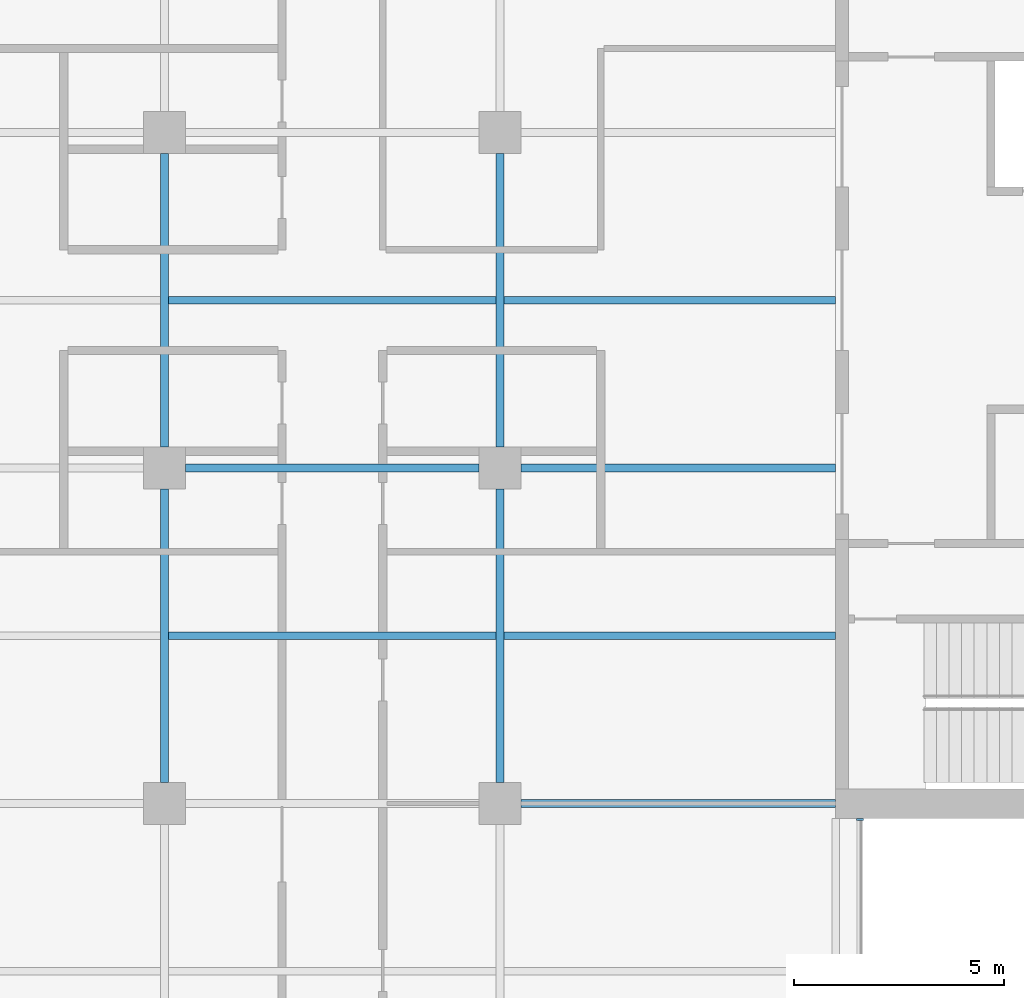
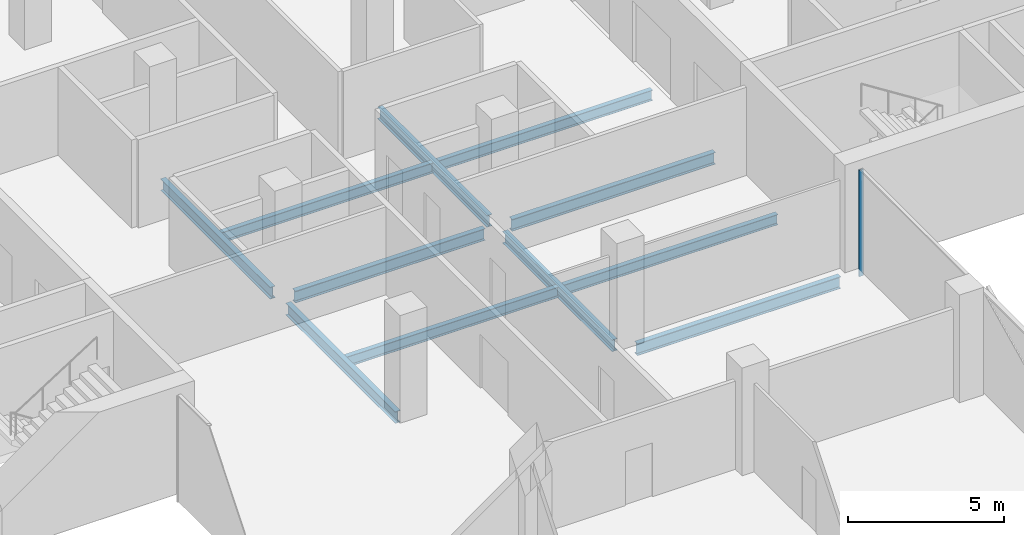
# One storey, part 6 of 22: 11 beams, 1 member, 1 element without a shape of its own.
"""IFC4 building model written with IfcOpenShell, lengths in metres."""

from ifc_helpers import new_model, si_unit, direction, frame, origin, origin_2d, place, context, subcontext, project, spatial, rectangle, i_section, extrude, material, material_profile, profile_set, type_object, element, aggregate, save


model = new_model("IFC4")

# Units and contexts
model_context = context("Model", 3, precision=1e-05, world=origin(), true_north=direction((0.0, 1.0)))
body_context = subcontext(model_context, "Body", "Model", "MODEL_VIEW")
ifc_project = project(units=[si_unit("LENGTHUNIT", "METRE"), si_unit("AREAUNIT", "SQUARE_METRE"), si_unit("VOLUMEUNIT", "CUBIC_METRE"), si_unit("PLANEANGLEUNIT", "RADIAN"), si_unit("MASSUNIT", "GRAM", prefix="KILO")], contexts=[model_context])

# Site, building, storey
site_placement = place(None, origin())
site = spatial("IfcSite", under=ifc_project, at=site_placement, CompositionType="ELEMENT")
building_placement = place(site_placement, origin())
building = spatial("IfcBuilding", under=site, at=building_placement, Name="Crosswind Convention Tower", CompositionType="ELEMENT")
storey_placement = place(building_placement, frame((0.0, 0.0, 121.10009765625)))
storey = spatial("IfcBuildingStorey", under=building, at=storey_placement, Name="L24", CompositionType="ELEMENT", Elevation=121.10009765625)

# Beams
ifc_material_1 = material(Name="Steel S355", Category="steel")
ifc_material_profile_1 = material_profile(ifc_material_1, i_section(OverallWidth=0.19140625, OverallDepth=0.460205078125, WebThickness=0.010009765625, FlangeThickness=0.01611328125, FilletRadius=0.01025390625, at=origin_2d()), Name="UB 457x191x82")
ifc_profile_set_1 = profile_set([ifc_material_profile_1], Name="Steel S355")
beam_type_1 = type_object("IfcBeamType", Name="Girder UB 457x191x82", PredefinedType="BEAM", material=ifc_profile_set_1)
for number, where, z_axis, x_axis, name in (
    (1, (121.0, 88.5, -0.5302734375), (0.0, 1.0, 0.0), (-1.0, 0.0, 0.0), "B3 L24 girder 5"),
    (2, (121.0, 96.5, -0.5302734375), (0.0, 1.0, 0.0), (-1.0, 0.0, 0.0), "B3 L24 girder 6"),
    (3, (121.5, 96.0, -0.5302734375), (1.0, 0.0, 0.0), (0.0, 1.0, 0.0), "B3 L24 girder 12"),
    (4, (129.0, 88.5, -0.5302734375), (0.0, 1.0, 0.0), (-1.0, 0.0, 0.0), "B3 L24 girder 18"),
    (5, (129.0, 96.5, -0.5302734375), (0.0, 1.0, 0.0), (-1.0, 0.0, 0.0), "B3 L24 girder 19"),
):
    element("IfcBeam", number, at=place(storey_placement, frame(where, z_axis=z_axis, x_axis=x_axis)), inside=storey, type_object=beam_type_1, Name=name, PredefinedType="BEAM", context=body_context, shape_type="SweptSolid", body=[
        extrude(i_section(OverallWidth=0.19140625, OverallDepth=0.460205078125, WebThickness=0.010009765625, FlangeThickness=0.01611328125, FilletRadius=0.01025390625, at=origin_2d()), origin(), (0.0, 0.0, 1.0), 7.0),
    ])
ifc_material_profile_2 = material_profile(ifc_material_1, i_section(OverallWidth=0.19189453125, OverallDepth=0.463623046875, WebThickness=0.010498046875, FlangeThickness=0.017578125, FilletRadius=0.01025390625, at=origin_2d()), Name="UB 457x191x90")
ifc_profile_set_2 = profile_set([ifc_material_profile_2], Name="Steel S355")
beam_type_2 = type_object("IfcBeamType", Name="Girder at core wall UB 457x191x90", PredefinedType="BEAM", material=ifc_profile_set_2)
for number, where, z_axis, x_axis, name in (
    (6, (129.5, 88.0, -0.531982421875), (1.0, 0.0, 0.0), (0.0, 1.0, 0.0), "B24 L24 girder at core wall 7"),
    (7, (129.5, 96.0, -0.531982421875), (1.0, 0.0, 0.0), (0.0, 1.0, 0.0), "B24 L24 girder at core wall 8"),
):
    element("IfcBeam", number, at=place(storey_placement, frame(where, z_axis=z_axis, x_axis=x_axis)), inside=storey, type_object=beam_type_2, Name=name, PredefinedType="BEAM", context=body_context, shape_type="SweptSolid", body=[
        extrude(i_section(OverallWidth=0.19189453125, OverallDepth=0.463623046875, WebThickness=0.010498046875, FlangeThickness=0.017578125, FilletRadius=0.01025390625, at=origin_2d()), origin(), (0.0, 0.0, 1.0), 7.5),
    ])

# Curtain wall, member
ifc_material_2 = material(Name="Aluminium unitised curtain wall", Category="aluminium")
curtain_wall_type = type_object("IfcCurtainWallType", Name="CORE END SLOT WALL 160", PredefinedType="USERDEFINED", material=ifc_material_2)
curtain_wall_placement = place(storey_placement, origin())
curtain_wall = element("IfcCurtainWall", 8, at=curtain_wall_placement, inside=storey, type_object=curtain_wall_type, Name="CW6 L24 S-E.1-2 slot", ObjectType="UNITISED", PredefinedType="USERDEFINED")
ifc_material_3 = material(Name="Aluminium mullion", Category="aluminium")
ifc_material_profile_3 = material_profile(ifc_material_3, rectangle(XDim=0.159912109375, YDim=0.050048828125, at=origin_2d()), Name="AL 160X50")
ifc_profile_set_3 = profile_set([ifc_material_profile_3], Name="Aluminium mullion")
member_type = type_object("IfcMemberType", Name="MULLION 50X160", PredefinedType="MULLION", material=ifc_profile_set_3)
member_placement = place(storey_placement, frame((137.580078125, 87.625, -0.300048828125), z_axis=(0.0, 0.0, 1.0), x_axis=(1.0, 0.0, 0.0)))
member = element("IfcMember", 9, at=member_placement, type_object=member_type, Name="CW6 mullion 2", PredefinedType="MULLION", context=body_context, shape_type="SweptSolid", body=[
    extrude(rectangle(XDim=0.159912109375, YDim=0.050048828125, at=origin_2d()), origin(), (0.0, 0.0, 1.0), 4.14990234375),
])
aggregate(curtain_wall, [member])

# Beams
ifc_material_profile_4 = material_profile(ifc_material_1, i_section(OverallWidth=0.177734375, OverallDepth=0.406494140625, WebThickness=0.0078125, FlangeThickness=0.0126953125, FilletRadius=0.01025390625, at=origin_2d()), Name="UB 406x178x60")
ifc_profile_set_4 = profile_set([ifc_material_profile_4], Name="Steel S355")
beam_type_3 = type_object("IfcBeamType", Name="Secondary beam UB 406x178x60", PredefinedType="JOIST", material=ifc_profile_set_4)
for number, where, z_axis, x_axis, name in (
    (10, (121.095703125, 92.0, -0.50341796875), (1.0, 0.0, 0.0), (0.0, 1.0, 0.0), "B10 L24 secondary beam 13"),
    (11, (121.095703125, 100.0, -0.50341796875), (1.0, 0.0, 0.0), (0.0, 1.0, 0.0), "B10 L24 secondary beam 14"),
):
    element("IfcBeam", number, at=place(storey_placement, frame(where, z_axis=z_axis, x_axis=x_axis)), inside=storey, type_object=beam_type_3, Name=name, PredefinedType="JOIST", context=body_context, shape_type="SweptSolid", body=[
        extrude(i_section(OverallWidth=0.177734375, OverallDepth=0.406494140625, WebThickness=0.0078125, FlangeThickness=0.0126953125, FilletRadius=0.01025390625, at=origin_2d()), origin(), (0.0, 0.0, 1.0), 7.80859375),
    ])
for number, where, z_axis, x_axis, name in (
    (12, (129.095703125, 92.0, -0.50341796875), (1.0, 0.0, 0.0), (0.0, 1.0, 0.0), "B10 L24 secondary beam 20"),
    (13, (129.095703125, 100.0, -0.50341796875), (1.0, 0.0, 0.0), (0.0, 1.0, 0.0), "B10 L24 secondary beam 21"),
):
    element("IfcBeam", number, at=place(storey_placement, frame(where, z_axis=z_axis, x_axis=x_axis)), inside=storey, type_object=beam_type_3, Name=name, PredefinedType="JOIST", context=body_context, shape_type="SweptSolid", body=[
        extrude(i_section(OverallWidth=0.177734375, OverallDepth=0.406494140625, WebThickness=0.0078125, FlangeThickness=0.0126953125, FilletRadius=0.01025390625, at=origin_2d()), origin(), (0.0, 0.0, 1.0), 7.904296875),
    ])

save(model, "model.ifc")
